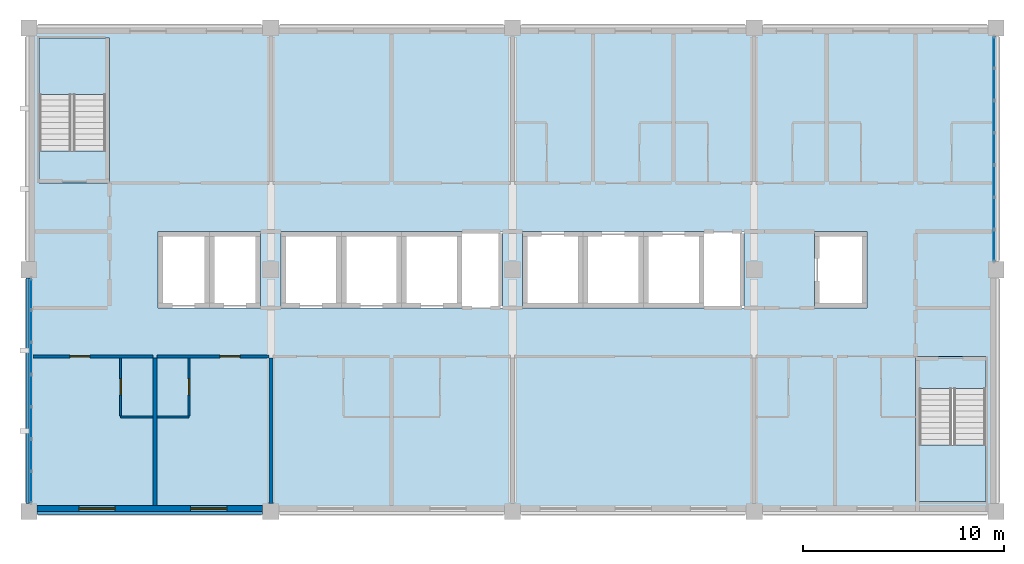
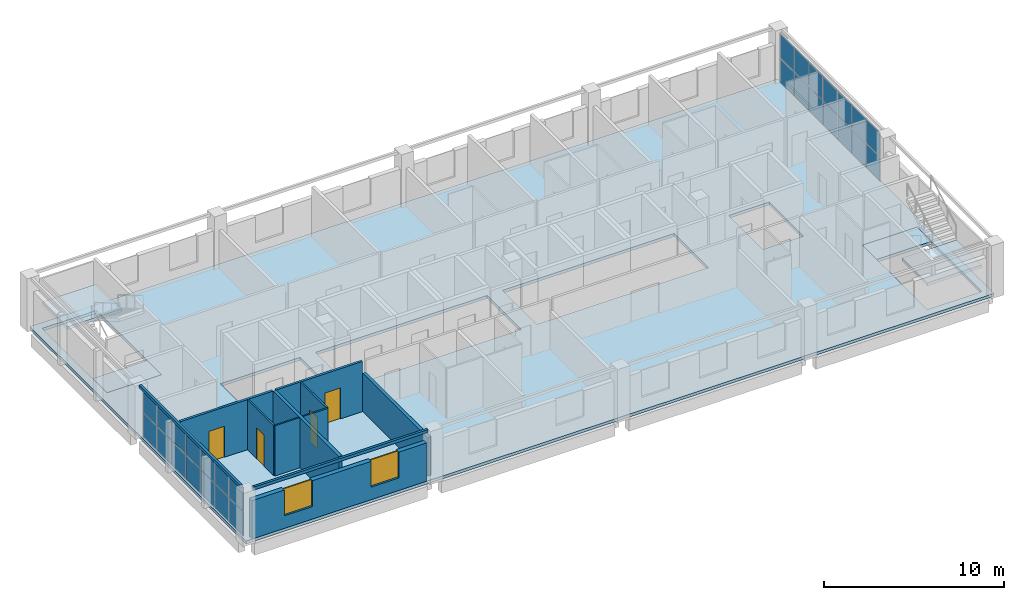
# One storey, part 5 of 11: 28 plates, 11 walls, 5 slabs, 4 doors, 2 windows, 6 openings, 4 elements without a shape of their own.
"""IFC4 building model written with IfcOpenShell, lengths in metres."""

from ifc_helpers import new_model, si_unit, direction, frame, frame_2d, origin, origin_2d, place, context, subcontext, project, spatial, polyline, rectangle, outline, extrude, material, layer, layer_set, type_object, element, fill, aggregate, save


model = new_model("IFC4")

# Units and contexts
model_context = context("Model", 3, precision=1e-05, world=origin(), true_north=direction((0.0, 1.0)))
body_context = subcontext(model_context, "Body", "Model", "MODEL_VIEW")
ifc_project = project(units=[si_unit("LENGTHUNIT", "METRE"), si_unit("AREAUNIT", "SQUARE_METRE"), si_unit("VOLUMEUNIT", "CUBIC_METRE"), si_unit("PLANEANGLEUNIT", "RADIAN"), si_unit("MASSUNIT", "GRAM", prefix="KILO")], contexts=[model_context])

# Site, building, storey
site_placement = place(None, origin())
site = spatial("IfcSite", under=ifc_project, at=site_placement, CompositionType="ELEMENT")
building_placement = place(site_placement, origin())
building = spatial("IfcBuilding", under=site, at=building_placement, Name="Lilac Gate Convention Centre", CompositionType="ELEMENT")
storey_placement = place(building_placement, frame((0.0, 0.0, 35.39990234375)))
storey = spatial("IfcBuildingStorey", under=building, at=storey_placement, Name="L08", CompositionType="ELEMENT", Elevation=35.39990234375)

# Curtain wall, plates
ifc_material_1 = material(Name="Aluminium framed double glazing", Category="aluminium")
ifc_layer_1 = layer(ifc_material_1, 0.199951171875)
ifc_layer_set_1 = layer_set([ifc_layer_1], Name="Aluminium framed double glazing")
curtain_wall_type = type_object("IfcCurtainWallType", Name="Unitised curtain wall 1500", PredefinedType="NOTDEFINED", material=ifc_layer_set_1)
curtain_wall_1_placement = place(storey_placement, origin())
curtain_wall_1 = element("IfcCurtainWall", 1, at=curtain_wall_1_placement, inside=storey, type_object=curtain_wall_type, Name="Curtain wall E L08 2", PredefinedType="NOTDEFINED")
ifc_material_2 = material(Name="Double glazed unit low emissivity")
ifc_layer_2 = layer(ifc_material_2, 0.028076171875)
ifc_layer_set_2 = layer_set([ifc_layer_2], Name="Double glazed unit low emissivity")
plate_type_1 = type_object("IfcPlateType", Name="Curtain wall glass panel 28", PredefinedType="CURTAIN_PANEL", material=ifc_layer_set_2)
plate_1_placement = place(storey_placement, frame((89.89990234375, 235.21484375, 1.72998046875), z_axis=(0.0, 0.0, 1.0), x_axis=(0.0, 1.0, 0.0)))
plate_1 = element("IfcPlate", 2, at=plate_1_placement, type_object=plate_type_1, Name="CW panel 1.2", PredefinedType="CURTAIN_PANEL", context=body_context, shape_type="SweptSolid", body=[
    extrude(rectangle(XDim=1.510009765625, YDim=0.028076171875, at=origin_2d()), origin(), (0.0, 0.0, 1.0), 1.610107421875),
])
plate_2_placement = place(storey_placement, frame((89.89990234375, 236.800048828125, 1.72998046875), z_axis=(0.0, 0.0, 1.0), x_axis=(0.0, 1.0, 0.0)))
plate_2 = element("IfcPlate", 3, at=plate_2_placement, type_object=plate_type_1, Name="CW panel 2.2", PredefinedType="CURTAIN_PANEL", context=body_context, shape_type="SweptSolid", body=[
    extrude(rectangle(XDim=1.5400390625, YDim=0.028076171875, at=origin_2d()), origin(), (0.0, 0.0, 1.0), 1.610107421875),
])
plate_3_placement = place(storey_placement, frame((89.89990234375, 238.39990234375, 1.72998046875), z_axis=(0.0, 0.0, 1.0), x_axis=(0.0, 1.0, 0.0)))
plate_3 = element("IfcPlate", 4, at=plate_3_placement, type_object=plate_type_1, Name="CW panel 3.2", PredefinedType="CURTAIN_PANEL", context=body_context, shape_type="SweptSolid", body=[
    extrude(rectangle(XDim=1.5400390625, YDim=0.028076171875, at=origin_2d()), origin(), (0.0, 0.0, 1.0), 1.610107421875),
])
plate_4_placement = place(storey_placement, frame((89.89990234375, 240.0, 1.72998046875), z_axis=(0.0, 0.0, 1.0), x_axis=(0.0, 1.0, 0.0)))
plate_4 = element("IfcPlate", 5, at=plate_4_placement, type_object=plate_type_1, Name="CW panel 4.2", PredefinedType="CURTAIN_PANEL", context=body_context, shape_type="SweptSolid", body=[
    extrude(rectangle(XDim=1.5400390625, YDim=0.028076171875, at=origin_2d()), origin(), (0.0, 0.0, 1.0), 1.610107421875),
])
plate_5_placement = place(storey_placement, frame((89.89990234375, 241.60009765625, 1.72998046875), z_axis=(0.0, 0.0, 1.0), x_axis=(0.0, 1.0, 0.0)))
plate_5 = element("IfcPlate", 6, at=plate_5_placement, type_object=plate_type_1, Name="CW panel 5.2", PredefinedType="CURTAIN_PANEL", context=body_context, shape_type="SweptSolid", body=[
    extrude(rectangle(XDim=1.5400390625, YDim=0.028076171875, at=origin_2d()), origin(), (0.0, 0.0, 1.0), 1.610107421875),
])
plate_6_placement = place(storey_placement, frame((89.89990234375, 243.199951171875, 1.72998046875), z_axis=(0.0, 0.0, 1.0), x_axis=(0.0, 1.0, 0.0)))
plate_6 = element("IfcPlate", 7, at=plate_6_placement, type_object=plate_type_1, Name="CW panel 6.2", PredefinedType="CURTAIN_PANEL", context=body_context, shape_type="SweptSolid", body=[
    extrude(rectangle(XDim=1.5400390625, YDim=0.028076171875, at=origin_2d()), origin(), (0.0, 0.0, 1.0), 1.610107421875),
])
plate_7_placement = place(storey_placement, frame((89.89990234375, 244.78515625, 1.72998046875), z_axis=(0.0, 0.0, 1.0), x_axis=(0.0, 1.0, 0.0)))
plate_7 = element("IfcPlate", 8, at=plate_7_placement, type_object=plate_type_1, Name="CW panel 7.2", PredefinedType="CURTAIN_PANEL", context=body_context, shape_type="SweptSolid", body=[
    extrude(rectangle(XDim=1.510009765625, YDim=0.028076171875, at=origin_2d()), origin(), (0.0, 0.0, 1.0), 1.610107421875),
])

curtain_wall_2_placement = place(storey_placement, origin())
curtain_wall_2 = element("IfcCurtainWall", 9, at=curtain_wall_2_placement, inside=storey, type_object=curtain_wall_type, Name="Curtain wall W L08 2", PredefinedType="NOTDEFINED")
plate_8_placement = place(storey_placement, frame((42.10009765625, 232.78515625, 1.72998046875), z_axis=(0.0, 0.0, 1.0), x_axis=(0.0, -1.0, 0.0)))
plate_8 = element("IfcPlate", 10, at=plate_8_placement, type_object=plate_type_1, Name="CW panel 1.2", PredefinedType="CURTAIN_PANEL", context=body_context, shape_type="SweptSolid", body=[
    extrude(rectangle(XDim=1.510009765625, YDim=0.028076171875, at=origin_2d()), origin(), (0.0, 0.0, 1.0), 1.610107421875),
])
plate_9_placement = place(storey_placement, frame((42.10009765625, 231.199951171875, 1.72998046875), z_axis=(0.0, 0.0, 1.0), x_axis=(0.0, -1.0, 0.0)))
plate_9 = element("IfcPlate", 11, at=plate_9_placement, type_object=plate_type_1, Name="CW panel 2.2", PredefinedType="CURTAIN_PANEL", context=body_context, shape_type="SweptSolid", body=[
    extrude(rectangle(XDim=1.5400390625, YDim=0.028076171875, at=origin_2d()), origin(), (0.0, 0.0, 1.0), 1.610107421875),
])
plate_10_placement = place(storey_placement, frame((42.10009765625, 229.60009765625, 1.72998046875), z_axis=(0.0, 0.0, 1.0), x_axis=(0.0, -1.0, 0.0)))
plate_10 = element("IfcPlate", 12, at=plate_10_placement, type_object=plate_type_1, Name="CW panel 3.2", PredefinedType="CURTAIN_PANEL", context=body_context, shape_type="SweptSolid", body=[
    extrude(rectangle(XDim=1.5400390625, YDim=0.028076171875, at=origin_2d()), origin(), (0.0, 0.0, 1.0), 1.610107421875),
])
plate_11_placement = place(storey_placement, frame((42.10009765625, 228.0, 1.72998046875), z_axis=(0.0, 0.0, 1.0), x_axis=(0.0, -1.0, 0.0)))
plate_11 = element("IfcPlate", 13, at=plate_11_placement, type_object=plate_type_1, Name="CW panel 4.2", PredefinedType="CURTAIN_PANEL", context=body_context, shape_type="SweptSolid", body=[
    extrude(rectangle(XDim=1.5400390625, YDim=0.028076171875, at=origin_2d()), origin(), (0.0, 0.0, 1.0), 1.610107421875),
])
plate_12_placement = place(storey_placement, frame((42.10009765625, 226.39990234375, 1.72998046875), z_axis=(0.0, 0.0, 1.0), x_axis=(0.0, -1.0, 0.0)))
plate_12 = element("IfcPlate", 14, at=plate_12_placement, type_object=plate_type_1, Name="CW panel 5.2", PredefinedType="CURTAIN_PANEL", context=body_context, shape_type="SweptSolid", body=[
    extrude(rectangle(XDim=1.5400390625, YDim=0.028076171875, at=origin_2d()), origin(), (0.0, 0.0, 1.0), 1.610107421875),
])
plate_13_placement = place(storey_placement, frame((42.10009765625, 224.800048828125, 1.72998046875), z_axis=(0.0, 0.0, 1.0), x_axis=(0.0, -1.0, 0.0)))
plate_13 = element("IfcPlate", 15, at=plate_13_placement, type_object=plate_type_1, Name="CW panel 6.2", PredefinedType="CURTAIN_PANEL", context=body_context, shape_type="SweptSolid", body=[
    extrude(rectangle(XDim=1.5400390625, YDim=0.028076171875, at=origin_2d()), origin(), (0.0, 0.0, 1.0), 1.610107421875),
])
plate_14_placement = place(storey_placement, frame((42.10009765625, 223.21484375, 1.72998046875), z_axis=(0.0, 0.0, 1.0), x_axis=(0.0, -1.0, 0.0)))
plate_14 = element("IfcPlate", 16, at=plate_14_placement, type_object=plate_type_1, Name="CW panel 7.2", PredefinedType="CURTAIN_PANEL", context=body_context, shape_type="SweptSolid", body=[
    extrude(rectangle(XDim=1.510009765625, YDim=0.028076171875, at=origin_2d()), origin(), (0.0, 0.0, 1.0), 1.610107421875),
])

# Plate
ifc_material_3 = material(Name="Insulated aluminium spandrel panel", Category="aluminium")
ifc_layer_3 = layer(ifc_material_3, 0.028076171875)
ifc_layer_set_3 = layer_set([ifc_layer_3], Name="Insulated aluminium spandrel panel")
plate_type_2 = type_object("IfcPlateType", Name="Curtain wall spandrel panel 28", PredefinedType="CURTAIN_PANEL", material=ifc_layer_set_3)
plate_15_placement = place(storey_placement, frame((89.89990234375, 235.21484375, 0.06005859375), z_axis=(0.0, 0.0, 1.0), x_axis=(0.0, 1.0, 0.0)))
plate_15 = element("IfcPlate", 17, at=plate_15_placement, type_object=plate_type_2, Name="CW spandrel 1.1", PredefinedType="CURTAIN_PANEL", context=body_context, shape_type="SweptSolid", body=[
    extrude(rectangle(XDim=1.510009765625, YDim=0.028076171875, at=origin_2d()), origin(), (0.0, 0.0, 1.0), 1.610107421875),
])

plate_16_placement = place(storey_placement, frame((89.89990234375, 236.800048828125, 0.06005859375), z_axis=(0.0, 0.0, 1.0), x_axis=(0.0, 1.0, 0.0)))
plate_16 = element("IfcPlate", 18, at=plate_16_placement, type_object=plate_type_2, Name="CW spandrel 2.1", PredefinedType="CURTAIN_PANEL", context=body_context, shape_type="SweptSolid", body=[
    extrude(rectangle(XDim=1.5400390625, YDim=0.028076171875, at=origin_2d()), origin(), (0.0, 0.0, 1.0), 1.610107421875),
])

plate_17_placement = place(storey_placement, frame((89.89990234375, 238.39990234375, 0.06005859375), z_axis=(0.0, 0.0, 1.0), x_axis=(0.0, 1.0, 0.0)))
plate_17 = element("IfcPlate", 19, at=plate_17_placement, type_object=plate_type_2, Name="CW spandrel 3.1", PredefinedType="CURTAIN_PANEL", context=body_context, shape_type="SweptSolid", body=[
    extrude(rectangle(XDim=1.5400390625, YDim=0.028076171875, at=origin_2d()), origin(), (0.0, 0.0, 1.0), 1.610107421875),
])

plate_18_placement = place(storey_placement, frame((89.89990234375, 240.0, 0.06005859375), z_axis=(0.0, 0.0, 1.0), x_axis=(0.0, 1.0, 0.0)))
plate_18 = element("IfcPlate", 20, at=plate_18_placement, type_object=plate_type_2, Name="CW spandrel 4.1", PredefinedType="CURTAIN_PANEL", context=body_context, shape_type="SweptSolid", body=[
    extrude(rectangle(XDim=1.5400390625, YDim=0.028076171875, at=origin_2d()), origin(), (0.0, 0.0, 1.0), 1.610107421875),
])

plate_19_placement = place(storey_placement, frame((89.89990234375, 241.60009765625, 0.06005859375), z_axis=(0.0, 0.0, 1.0), x_axis=(0.0, 1.0, 0.0)))
plate_19 = element("IfcPlate", 21, at=plate_19_placement, type_object=plate_type_2, Name="CW spandrel 5.1", PredefinedType="CURTAIN_PANEL", context=body_context, shape_type="SweptSolid", body=[
    extrude(rectangle(XDim=1.5400390625, YDim=0.028076171875, at=origin_2d()), origin(), (0.0, 0.0, 1.0), 1.610107421875),
])

plate_20_placement = place(storey_placement, frame((89.89990234375, 243.199951171875, 0.06005859375), z_axis=(0.0, 0.0, 1.0), x_axis=(0.0, 1.0, 0.0)))
plate_20 = element("IfcPlate", 22, at=plate_20_placement, type_object=plate_type_2, Name="CW spandrel 6.1", PredefinedType="CURTAIN_PANEL", context=body_context, shape_type="SweptSolid", body=[
    extrude(rectangle(XDim=1.5400390625, YDim=0.028076171875, at=origin_2d()), origin(), (0.0, 0.0, 1.0), 1.610107421875),
])

plate_21_placement = place(storey_placement, frame((89.89990234375, 244.78515625, 0.06005859375), z_axis=(0.0, 0.0, 1.0), x_axis=(0.0, 1.0, 0.0)))
plate_21 = element("IfcPlate", 23, at=plate_21_placement, type_object=plate_type_2, Name="CW spandrel 7.1", PredefinedType="CURTAIN_PANEL", context=body_context, shape_type="SweptSolid", body=[
    extrude(rectangle(XDim=1.510009765625, YDim=0.028076171875, at=origin_2d()), origin(), (0.0, 0.0, 1.0), 1.610107421875),
])

aggregate(curtain_wall_1, [plate_15, plate_1, plate_16, plate_2, plate_17, plate_3, plate_18, plate_4, plate_19, plate_5, plate_20, plate_6, plate_21, plate_7])

plate_22_placement = place(storey_placement, frame((42.10009765625, 232.78515625, 0.06005859375), z_axis=(0.0, 0.0, 1.0), x_axis=(0.0, -1.0, 0.0)))
plate_22 = element("IfcPlate", 24, at=plate_22_placement, type_object=plate_type_2, Name="CW spandrel 1.1", PredefinedType="CURTAIN_PANEL", context=body_context, shape_type="SweptSolid", body=[
    extrude(rectangle(XDim=1.510009765625, YDim=0.028076171875, at=origin_2d()), origin(), (0.0, 0.0, 1.0), 1.610107421875),
])

plate_23_placement = place(storey_placement, frame((42.10009765625, 231.199951171875, 0.06005859375), z_axis=(0.0, 0.0, 1.0), x_axis=(0.0, -1.0, 0.0)))
plate_23 = element("IfcPlate", 25, at=plate_23_placement, type_object=plate_type_2, Name="CW spandrel 2.1", PredefinedType="CURTAIN_PANEL", context=body_context, shape_type="SweptSolid", body=[
    extrude(rectangle(XDim=1.5400390625, YDim=0.028076171875, at=origin_2d()), origin(), (0.0, 0.0, 1.0), 1.610107421875),
])

plate_24_placement = place(storey_placement, frame((42.10009765625, 229.60009765625, 0.06005859375), z_axis=(0.0, 0.0, 1.0), x_axis=(0.0, -1.0, 0.0)))
plate_24 = element("IfcPlate", 26, at=plate_24_placement, type_object=plate_type_2, Name="CW spandrel 3.1", PredefinedType="CURTAIN_PANEL", context=body_context, shape_type="SweptSolid", body=[
    extrude(rectangle(XDim=1.5400390625, YDim=0.028076171875, at=origin_2d()), origin(), (0.0, 0.0, 1.0), 1.610107421875),
])

plate_25_placement = place(storey_placement, frame((42.10009765625, 228.0, 0.06005859375), z_axis=(0.0, 0.0, 1.0), x_axis=(0.0, -1.0, 0.0)))
plate_25 = element("IfcPlate", 27, at=plate_25_placement, type_object=plate_type_2, Name="CW spandrel 4.1", PredefinedType="CURTAIN_PANEL", context=body_context, shape_type="SweptSolid", body=[
    extrude(rectangle(XDim=1.5400390625, YDim=0.028076171875, at=origin_2d()), origin(), (0.0, 0.0, 1.0), 1.610107421875),
])

plate_26_placement = place(storey_placement, frame((42.10009765625, 226.39990234375, 0.06005859375), z_axis=(0.0, 0.0, 1.0), x_axis=(0.0, -1.0, 0.0)))
plate_26 = element("IfcPlate", 28, at=plate_26_placement, type_object=plate_type_2, Name="CW spandrel 5.1", PredefinedType="CURTAIN_PANEL", context=body_context, shape_type="SweptSolid", body=[
    extrude(rectangle(XDim=1.5400390625, YDim=0.028076171875, at=origin_2d()), origin(), (0.0, 0.0, 1.0), 1.610107421875),
])

plate_27_placement = place(storey_placement, frame((42.10009765625, 224.800048828125, 0.06005859375), z_axis=(0.0, 0.0, 1.0), x_axis=(0.0, -1.0, 0.0)))
plate_27 = element("IfcPlate", 29, at=plate_27_placement, type_object=plate_type_2, Name="CW spandrel 6.1", PredefinedType="CURTAIN_PANEL", context=body_context, shape_type="SweptSolid", body=[
    extrude(rectangle(XDim=1.5400390625, YDim=0.028076171875, at=origin_2d()), origin(), (0.0, 0.0, 1.0), 1.610107421875),
])

plate_28_placement = place(storey_placement, frame((42.10009765625, 223.21484375, 0.06005859375), z_axis=(0.0, 0.0, 1.0), x_axis=(0.0, -1.0, 0.0)))
plate_28 = element("IfcPlate", 30, at=plate_28_placement, type_object=plate_type_2, Name="CW spandrel 7.1", PredefinedType="CURTAIN_PANEL", context=body_context, shape_type="SweptSolid", body=[
    extrude(rectangle(XDim=1.510009765625, YDim=0.028076171875, at=origin_2d()), origin(), (0.0, 0.0, 1.0), 1.610107421875),
])

aggregate(curtain_wall_2, [plate_22, plate_8, plate_23, plate_9, plate_24, plate_10, plate_25, plate_11, plate_26, plate_12, plate_27, plate_13, plate_28, plate_14])

# Stair, slabs
ifc_material_4 = material(Name="Concrete C40", Category="concrete")
stair_type = type_object("IfcStairType", Name="Exit stair", PredefinedType="DOUBLE_RETURN_STAIR", material=ifc_material_4)
stair_1_placement = place(storey_placement, origin())
stair_1 = element("IfcStair", 31, at=stair_1_placement, inside=storey, type_object=stair_type, Name="Exit stair NW L08", PredefinedType="DOUBLE_RETURN_STAIR")
ifc_layer_4 = layer(ifc_material_4, 0.199951171875)
ifc_layer_set_4 = layer_set([ifc_layer_4], Name="Concrete C40")
slab_type_1 = type_object("IfcSlabType", Name="Exit stair landing", PredefinedType="LANDING", material=ifc_layer_set_4)
slab_1_placement = place(storey_placement, frame((0.0, 0.0, -0.199951171875)))
slab_1 = element("IfcSlab", 32, at=slab_1_placement, type_object=slab_type_1, Name="ST-NW landing 1", PredefinedType="LANDING", context=body_context, shape_type="SweptSolid", body=[
    extrude(outline(polyline([(42.5, 238.300048828125), (46.0, 238.300048828125), (46.0, 239.89990234375), (42.5, 239.89990234375), (42.5, 238.300048828125)])), origin(), (0.0, 0.0, 1.0), 0.199951171875),
])
slab_2_placement = place(storey_placement, frame((0.0, 0.0, 1.60009765625)))
slab_2 = element("IfcSlab", 33, at=slab_2_placement, type_object=slab_type_1, Name="ST-NW landing 2", PredefinedType="LANDING", context=body_context, shape_type="SweptSolid", body=[
    extrude(outline(polyline([(42.5, 242.699951171875), (46.0, 242.699951171875), (46.0, 245.5), (42.5, 245.5), (42.5, 242.699951171875)])), origin(), (0.0, 0.0, 1.0), 0.199951171875),
])
aggregate(stair_1, [slab_1, slab_2])

stair_2_placement = place(storey_placement, origin())
stair_2 = element("IfcStair", 34, at=stair_2_placement, inside=storey, type_object=stair_type, Name="Exit stair SE L08", PredefinedType="DOUBLE_RETURN_STAIR")
slab_3_placement = place(storey_placement, frame((0.0, 0.0, -0.199951171875)))
slab_3 = element("IfcSlab", 35, at=slab_3_placement, type_object=slab_type_1, Name="ST-SE landing 1", PredefinedType="LANDING", context=body_context, shape_type="SweptSolid", body=[
    extrude(outline(polyline([(86.0, 228.10009765625), (89.5, 228.10009765625), (89.5, 229.699951171875), (86.0, 229.699951171875), (86.0, 228.10009765625)])), origin(), (0.0, 0.0, 1.0), 0.199951171875),
])
slab_4_placement = place(storey_placement, frame((0.0, 0.0, 1.60009765625)))
slab_4 = element("IfcSlab", 36, at=slab_4_placement, type_object=slab_type_1, Name="ST-SE landing 2", PredefinedType="LANDING", context=body_context, shape_type="SweptSolid", body=[
    extrude(outline(polyline([(86.0, 222.5), (89.5, 222.5), (89.5, 225.300048828125), (86.0, 225.300048828125), (86.0, 222.5)])), origin(), (0.0, 0.0, 1.0), 0.199951171875),
])
aggregate(stair_2, [slab_3, slab_4])

# Slab
ifc_layer_5 = layer(ifc_material_4, 0.199951171875)
ifc_layer_set_5 = layer_set([ifc_layer_5], Name="Concrete C40")
slab_type_2 = type_object("IfcSlabType", Name="Floor slab 200 C40", PredefinedType="FLOOR", material=ifc_layer_set_5)
slab_5_placement = place(storey_placement, frame((0.0, 0.0, -0.199951171875)))
element("IfcSlab", 37, at=slab_5_placement, inside=storey, type_object=slab_type_2, Name="FS3 slab L08 1", PredefinedType="FLOOR", context=body_context, shape_type="SweptSolid", body=[
    extrude(outline(polyline([(42.0, 222.0), (42.0, 246.0), (90.0, 246.0), (90.0, 222.0), (42.0, 222.0)]), holes=[polyline([(48.39990234375, 235.89990234375), (48.39990234375, 232.10009765625), (50.949951171875, 232.10009765625), (53.5, 232.10009765625), (53.5, 235.89990234375), (50.949951171875, 235.89990234375), (48.39990234375, 235.89990234375)]), polyline([(57.5, 235.89990234375), (54.5, 235.89990234375), (54.5, 232.10009765625), (57.5, 232.10009765625), (60.5, 232.10009765625), (63.5, 232.10009765625), (65.5, 232.10009765625), (65.5, 235.89990234375), (63.5, 235.89990234375), (60.5, 235.89990234375), (57.5, 235.89990234375)]), polyline([(42.5, 245.5), (42.5, 238.300048828125), (46.0, 238.300048828125), (46.0, 245.5), (42.5, 245.5)]), polyline([(89.5, 229.699951171875), (86.0, 229.699951171875), (86.0, 222.5), (89.5, 222.5), (89.5, 229.699951171875)]), polyline([(69.5, 235.89990234375), (66.5, 235.89990234375), (66.5, 232.10009765625), (69.5, 232.10009765625), (72.5, 232.10009765625), (75.5, 232.10009765625), (77.5, 232.10009765625), (77.5, 235.89990234375), (75.5, 235.89990234375), (72.5, 235.89990234375), (69.5, 235.89990234375)]), polyline([(83.60009765625, 235.89990234375), (81.0, 235.89990234375), (81.0, 232.10009765625), (83.60009765625, 232.10009765625), (83.60009765625, 235.89990234375)])]), origin(), (0.0, 0.0, 1.0), 0.199951171875),
])

# Wall, opening, door
ifc_material_5 = material(Name="Gypsum board on steel stud", Category="steel")
ifc_layer_6 = layer(ifc_material_5, 0.14990234375)
ifc_layer_set_6 = layer_set([ifc_layer_6], Name="Gypsum board on steel stud")
wall_type_1 = type_object("IfcWallType", Name="Corridor wall 150", PredefinedType="PARTITIONING", material=ifc_layer_set_6)
wall_1_placement = place(storey_placement, frame((48.14990234375, 229.699951171875, 0.0), z_axis=(0.0, 0.0, 1.0), x_axis=(-1.0, 0.0, 0.0)))
wall_1 = element("IfcWall", 38, at=wall_1_placement, inside=storey, type_object=wall_type_1, Name="Corridor wall 150 front 0801", PredefinedType="PARTITIONING", context=body_context, shape_type="SweptSolid", body=[
    extrude(rectangle(XDim=5.94970703125, YDim=0.14990234375, at=frame_2d((2.974853515625, 0.0))), origin(), (0.0, 0.0, 1.0), 3.400146484375),
])
opening_1_placement = place(wall_1_placement, frame((3.125, 0.0, 0.0)))
opening_1 = element("IfcOpeningElement", 39, at=opening_1_placement, cuts=wall_1, Name="Opening T07-008", PredefinedType="OPENING", context=body_context, shape_type="SweptSolid", body=[
    extrude(rectangle(XDim=1.0, YDim=2.10009765625, at=frame_2d((0.5, 1.050048828125))), frame((0.0, 0.0849609375, 0.0), z_axis=(0.0, -1.0, 0.0), x_axis=(1.0, 0.0, 0.0)), (0.0, 0.0, 1.0), 0.169921875),
])
ifc_material_6 = material(Name="Timber", Category="wood")
door_type_1 = type_object("IfcDoorType", Name="Guest room entrance door 1000", OperationType="SINGLE_SWING_LEFT", PredefinedType="DOOR", material=ifc_material_6)
door_1_placement = place(opening_1_placement, origin())
door_1 = element("IfcDoor", 40, at=door_1_placement, inside=storey, type_object=door_type_1, Name="Guest room door 0801", OperationType="SINGLE_SWING_LEFT", OverallHeight=2.10009765625, OverallWidth=1.0, PredefinedType="DOOR", context=body_context, shape_type="SweptSolid", body=[
    extrude(rectangle(XDim=1.0, YDim=2.10009765625, at=frame_2d((0.5, 1.050048828125))), frame((0.0, 0.02490234375, 0.0), z_axis=(0.0, -1.0, 0.0), x_axis=(1.0, 0.0, 0.0)), (0.0, 0.0, 1.0), 0.050048828125),
])
fill(opening_1, door_1)

wall_2_placement = place(storey_placement, frame((53.89990234375, 229.699951171875, 0.0), z_axis=(0.0, 0.0, 1.0), x_axis=(-1.0, 0.0, 0.0)))
wall_2 = element("IfcWall", 41, at=wall_2_placement, inside=storey, type_object=wall_type_1, Name="Corridor wall 150 front 0802", PredefinedType="PARTITIONING", context=body_context, shape_type="SweptSolid", body=[
    extrude(rectangle(XDim=5.5498046875, YDim=0.14990234375, at=frame_2d((2.77490234375, 0.0))), origin(), (0.0, 0.0, 1.0), 3.400146484375),
])
opening_2_placement = place(wall_2_placement, frame((1.425048828125, 0.0, 0.0)))
opening_2 = element("IfcOpeningElement", 42, at=opening_2_placement, cuts=wall_2, Name="Opening T07-010", PredefinedType="OPENING", context=body_context, shape_type="SweptSolid", body=[
    extrude(rectangle(XDim=1.0, YDim=2.10009765625, at=frame_2d((0.5, 1.050048828125))), frame((0.0, 0.0849609375, 0.0), z_axis=(0.0, -1.0, 0.0), x_axis=(1.0, 0.0, 0.0)), (0.0, 0.0, 1.0), 0.169921875),
])
door_2_placement = place(opening_2_placement, origin())
door_2 = element("IfcDoor", 43, at=door_2_placement, inside=storey, type_object=door_type_1, Name="Guest room door 0802", OperationType="SINGLE_SWING_LEFT", OverallHeight=2.10009765625, OverallWidth=1.0, PredefinedType="DOOR", context=body_context, shape_type="SweptSolid", body=[
    extrude(rectangle(XDim=1.0, YDim=2.10009765625, at=frame_2d((0.5, 1.050048828125))), frame((0.0, 0.02490234375, 0.0), z_axis=(0.0, -1.0, 0.0), x_axis=(1.0, 0.0, 0.0)), (0.0, 0.0, 1.0), 0.050048828125),
])
fill(opening_2, door_2)

# Wall
ifc_layer_7 = layer(ifc_material_5, 0.10009765625)
ifc_layer_set_7 = layer_set([ifc_layer_7], Name="Gypsum board on steel stud")
wall_type_2 = type_object("IfcWallType", Name="En-suite wall 100", PredefinedType="PARTITIONING", material=ifc_layer_set_7)
wall_3_placement = place(storey_placement, frame((46.550048828125, 226.699951171875, 0.0), z_axis=(0.0, 0.0, 1.0), x_axis=(1.0, 0.0, 0.0)))
element("IfcWall", 44, at=wall_3_placement, inside=storey, type_object=wall_type_2, Name="En-suite wall 100 bath 0801", PredefinedType="PARTITIONING", context=body_context, shape_type="SweptSolid", body=[
    extrude(rectangle(XDim=1.599853515625, YDim=0.10009765625, at=frame_2d((0.7998046875, 0.0))), origin(), (0.0, 0.0, 1.0), 3.400146484375),
])

# Wall, opening, door
wall_4_placement = place(storey_placement, frame((46.550048828125, 226.75, 0.0), z_axis=(0.0, 0.0, 1.0), x_axis=(0.0, 1.0, 0.0)))
wall_4 = element("IfcWall", 45, at=wall_4_placement, inside=storey, type_object=wall_type_2, Name="En-suite wall 100 bath side 0801", PredefinedType="PARTITIONING", context=body_context, shape_type="SweptSolid", body=[
    extrude(rectangle(XDim=2.875, YDim=0.10009765625, at=frame_2d((1.4375, 0.0))), origin(), (0.0, 0.0, 1.0), 3.400146484375),
])
opening_3_placement = place(wall_4_placement, frame((1.03759765625, 0.0, 0.0)))
opening_3 = element("IfcOpeningElement", 46, at=opening_3_placement, cuts=wall_4, Name="Opening T07-009", PredefinedType="OPENING", context=body_context, shape_type="SweptSolid", body=[
    extrude(rectangle(XDim=0.800048828125, YDim=2.10009765625, at=frame_2d((0.39990234375, 1.050048828125))), frame((0.0, 0.06005859375, 0.0), z_axis=(0.0, -1.0, 0.0), x_axis=(1.0, 0.0, 0.0)), (0.0, 0.0, 1.0), 0.1201171875),
])
door_type_2 = type_object("IfcDoorType", Name="En-suite door 800", OperationType="SINGLE_SWING_LEFT", PredefinedType="DOOR", material=ifc_material_6)
door_3_placement = place(opening_3_placement, origin())
door_3 = element("IfcDoor", 47, at=door_3_placement, inside=storey, type_object=door_type_2, Name="En-suite door 0801", OperationType="SINGLE_SWING_RIGHT", OverallHeight=2.10009765625, OverallWidth=0.800048828125, PredefinedType="DOOR", context=body_context, shape_type="SweptSolid", body=[
    extrude(rectangle(XDim=0.800048828125, YDim=2.10009765625, at=frame_2d((0.39990234375, 1.050048828125))), frame((0.0, 0.02490234375, 0.0), z_axis=(0.0, -1.0, 0.0), x_axis=(1.0, 0.0, 0.0)), (0.0, 0.0, 1.0), 0.050048828125),
])
fill(opening_3, door_3)

# Wall
wall_5_placement = place(storey_placement, frame((48.35009765625, 226.699951171875, 0.0), z_axis=(0.0, 0.0, 1.0), x_axis=(1.0, 0.0, 0.0)))
element("IfcWall", 48, at=wall_5_placement, inside=storey, type_object=wall_type_2, Name="En-suite wall 100 bath 0802", PredefinedType="PARTITIONING", context=body_context, shape_type="SweptSolid", body=[
    extrude(rectangle(XDim=1.599853515625, YDim=0.10009765625, at=frame_2d((0.7998046875, 0.0))), origin(), (0.0, 0.0, 1.0), 3.400146484375),
])

# Wall, opening, door
wall_6_placement = place(storey_placement, frame((49.949951171875, 229.625, 0.0), z_axis=(0.0, 0.0, 1.0), x_axis=(0.0, -1.0, 0.0)))
wall_6 = element("IfcWall", 49, at=wall_6_placement, inside=storey, type_object=wall_type_2, Name="En-suite wall 100 bath side 0802", PredefinedType="PARTITIONING", context=body_context, shape_type="SweptSolid", body=[
    extrude(rectangle(XDim=2.875, YDim=0.10009765625, at=frame_2d((1.4375, 0.0))), origin(), (0.0, 0.0, 1.0), 3.400146484375),
])
opening_4_placement = place(wall_6_placement, frame((1.03759765625, 0.0, 0.0)))
opening_4 = element("IfcOpeningElement", 50, at=opening_4_placement, cuts=wall_6, Name="Opening T07-011", PredefinedType="OPENING", context=body_context, shape_type="SweptSolid", body=[
    extrude(rectangle(XDim=0.800048828125, YDim=2.10009765625, at=frame_2d((0.39990234375, 1.050048828125))), frame((0.0, 0.06005859375, 0.0), z_axis=(0.0, -1.0, 0.0), x_axis=(1.0, 0.0, 0.0)), (0.0, 0.0, 1.0), 0.1201171875),
])
door_4_placement = place(opening_4_placement, origin())
door_4 = element("IfcDoor", 51, at=door_4_placement, inside=storey, type_object=door_type_2, Name="En-suite door 0802", OperationType="SINGLE_SWING_LEFT", OverallHeight=2.10009765625, OverallWidth=0.800048828125, PredefinedType="DOOR", context=body_context, shape_type="SweptSolid", body=[
    extrude(rectangle(XDim=0.800048828125, YDim=2.10009765625, at=frame_2d((0.39990234375, 1.050048828125))), frame((0.0, 0.02490234375, 0.0), z_axis=(0.0, -1.0, 0.0), x_axis=(1.0, 0.0, 0.0)), (0.0, 0.0, 1.0), 0.050048828125),
])
fill(opening_4, door_4)

# Walls
ifc_layer_8 = layer(ifc_material_5, 0.199951171875)
ifc_layer_set_8 = layer_set([ifc_layer_8], Name="Gypsum board on steel stud")
wall_type_3 = type_object("IfcWallType", Name="Guest room party wall 200", PredefinedType="PARTITIONING", material=ifc_layer_set_8)
wall_7_placement = place(storey_placement, frame((48.25, 222.2998046875, 0.0), z_axis=(0.0, 0.0, 1.0), x_axis=(0.0, 1.0, 0.0)))
element("IfcWall", 52, at=wall_7_placement, inside=storey, type_object=wall_type_3, Name="Guest room party wall 200 party 48.25", PredefinedType="PARTITIONING", context=body_context, shape_type="SweptSolid", body=[
    extrude(rectangle(XDim=7.3251953125, YDim=0.199951171875, at=frame_2d((3.66259765625, 0.0))), origin(), (0.0, 0.0, 1.0), 3.400146484375),
])
wall_8_placement = place(storey_placement, frame((54.0, 222.39990234375, 0.0), z_axis=(0.0, 0.0, 1.0), x_axis=(0.0, 1.0, 0.0)))
element("IfcWall", 53, at=wall_8_placement, inside=storey, type_object=wall_type_3, Name="Guest room party wall 200 party 54.0", PredefinedType="PARTITIONING", context=body_context, shape_type="SweptSolid", body=[
    extrude(rectangle(XDim=7.22509765625, YDim=0.199951171875, at=frame_2d((3.612548828125, 0.0))), origin(), (0.0, 0.0, 1.0), 2.60009765625),
])
ifc_material_7 = material(Name="Concrete C40 precast", Category="concrete")
ifc_layer_9 = layer(ifc_material_7, 0.1298828125)
ifc_material_8 = material(Name="Terracotta glazed cladding", Category="masonry")
ifc_layer_10 = layer(ifc_material_8, 0.02001953125)
ifc_layer_set_9 = layer_set([ifc_layer_9, ifc_layer_10], Name="Concrete C40 precast, Terracotta glazed cladding")
wall_type_4 = type_object("IfcWallType", Name="Precast band terracotta 150", PredefinedType="STANDARD", material=ifc_layer_set_9)
for number, where, z_axis, x_axis, name in (
    (54, (42.39990234375, 221.925048828125, 3.400146484375), (0.0, 0.0, 1.0), (1.0, 0.0, 0.0), "Precast band S L08 1"),
    (55, (41.925048828125, 233.60009765625, 3.400146484375), (0.0, 0.0, 1.0), (0.0, -1.0, 0.0), "Precast band W L08 2"),
):
    element("IfcWall", number, at=place(storey_placement, frame(where, z_axis=z_axis, x_axis=x_axis)), inside=storey, type_object=wall_type_4, Name=name, PredefinedType="STANDARD", context=body_context, shape_type="SweptSolid", body=[
        extrude(rectangle(XDim=11.2001953125, YDim=0.14990234375, at=frame_2d((5.60009765625, 0.0))), origin(), (0.0, 0.0, 1.0), 0.199951171875),
    ])

# Wall, openings, windows
ifc_layer_11 = layer(ifc_material_8, 0.02001953125)
ifc_layer_12 = layer(ifc_material_7, 0.06005859375)
ifc_material_9 = material(Name="Ventilated air cavity")
ifc_layer_13 = layer(ifc_material_9, 0.030029296875)
ifc_material_10 = material(Name="Mineral wool insulation")
ifc_layer_14 = layer(ifc_material_10, 0.1201171875)
ifc_material_11 = material(Name="Steel stud Q345 and gypsum lining", Category="steel")
ifc_layer_15 = layer(ifc_material_11, 0.070068359375)
ifc_layer_set_10 = layer_set([ifc_layer_11, ifc_layer_12, ifc_layer_13, ifc_layer_14, ifc_layer_15], Name="Terracotta glazed cladding, Concrete C40 precast, Ventilated air cavity, Mineral wool insulation, Steel stud Q345 and gypsum lining")
wall_type_5 = type_object("IfcWallType", Name="Precast panel wall terracotta 300", PredefinedType="STANDARD", material=ifc_layer_set_10)
wall_9_placement = place(storey_placement, frame((42.39990234375, 222.14990234375, 0.0), z_axis=(0.0, 0.0, 1.0), x_axis=(1.0, 0.0, 0.0)))
wall_9 = element("IfcWall", 56, at=wall_9_placement, inside=storey, type_object=wall_type_5, Name="External wall S L08 1", PredefinedType="STANDARD", context=body_context, shape_type="SweptSolid", body=[
    extrude(rectangle(XDim=11.2001953125, YDim=0.300048828125, at=frame_2d((5.60009765625, 0.0))), origin(), (0.0, 0.0, 1.0), 2.60009765625),
])
opening_5_placement = place(wall_9_placement, frame((2.074951171875, 0.0, 0.85009765625)))
opening_5 = element("IfcOpeningElement", 57, at=opening_5_placement, cuts=wall_9, Name="Opening W1", PredefinedType="OPENING", context=body_context, shape_type="SweptSolid", body=[
    extrude(rectangle(XDim=1.800048828125, YDim=1.75, at=frame_2d((0.89990234375, 0.875))), frame((0.0, 0.159912109375, 0.0), z_axis=(0.0, -1.0, 0.0), x_axis=(1.0, 0.0, 0.0)), (0.0, 0.0, 1.0), 0.320068359375),
])
opening_6_placement = place(wall_9_placement, frame((7.625, 0.0, 0.85009765625)))
opening_6 = element("IfcOpeningElement", 58, at=opening_6_placement, cuts=wall_9, Name="Opening W1", PredefinedType="OPENING", context=body_context, shape_type="SweptSolid", body=[
    extrude(rectangle(XDim=1.800048828125, YDim=1.75, at=frame_2d((0.89990234375, 0.875))), frame((0.0, 0.159912109375, 0.0), z_axis=(0.0, -1.0, 0.0), x_axis=(1.0, 0.0, 0.0)), (0.0, 0.0, 1.0), 0.320068359375),
])
window_type = type_object("IfcWindowType", Name="Guest room window 1800 x 1750", PartitioningType="DOUBLE_PANEL_VERTICAL", PredefinedType="WINDOW", material=ifc_material_1)
window_1_placement = place(opening_5_placement, origin())
window_1 = element("IfcWindow", 59, at=window_1_placement, inside=storey, type_object=window_type, Name="Window Guest S L08", OverallHeight=1.75, OverallWidth=1.800048828125, PartitioningType="SINGLE_PANEL", PredefinedType="WINDOW", context=body_context, shape_type="SweptSolid", body=[
    extrude(rectangle(XDim=1.800048828125, YDim=1.75, at=frame_2d((0.89990234375, 0.875))), frame((0.0, 0.030029296875, 0.0), z_axis=(0.0, -1.0, 0.0), x_axis=(1.0, 0.0, 0.0)), (0.0, 0.0, 1.0), 0.06005859375),
])
fill(opening_5, window_1)
window_2_placement = place(opening_6_placement, origin())
window_2 = element("IfcWindow", 60, at=window_2_placement, inside=storey, type_object=window_type, Name="Window Guest S L08", OverallHeight=1.75, OverallWidth=1.800048828125, PartitioningType="SINGLE_PANEL", PredefinedType="WINDOW", context=body_context, shape_type="SweptSolid", body=[
    extrude(rectangle(XDim=1.800048828125, YDim=1.75, at=frame_2d((0.89990234375, 0.875))), frame((0.0, 0.030029296875, 0.0), z_axis=(0.0, -1.0, 0.0), x_axis=(1.0, 0.0, 0.0)), (0.0, 0.0, 1.0), 0.06005859375),
])
fill(opening_6, window_2)

save(model, "model.ifc")
